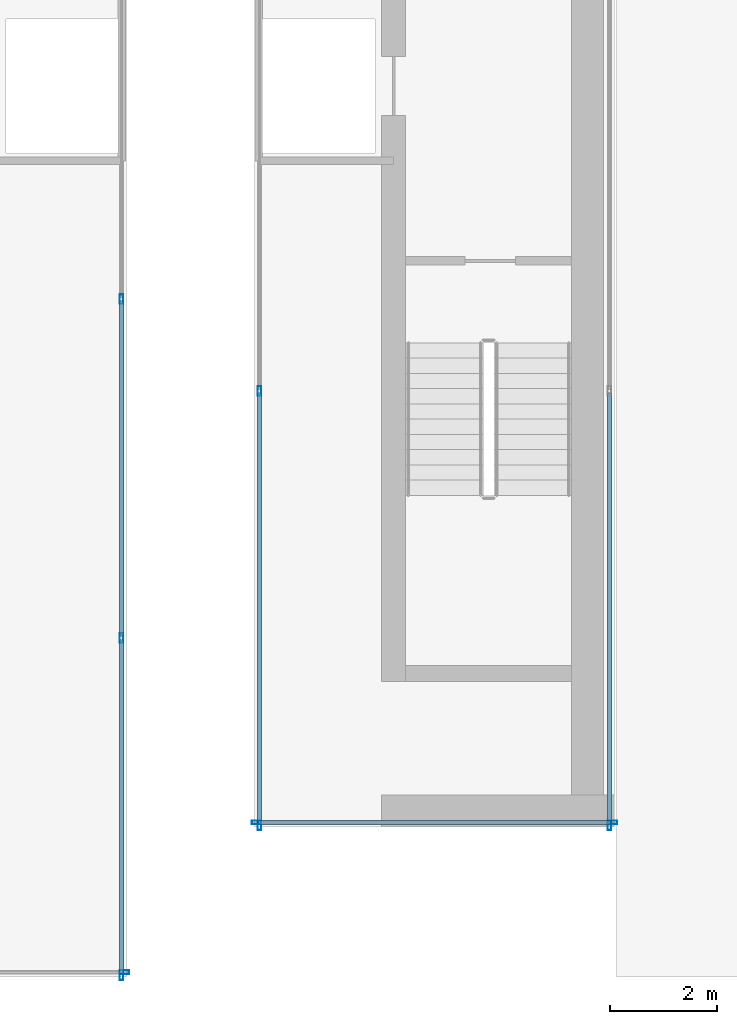
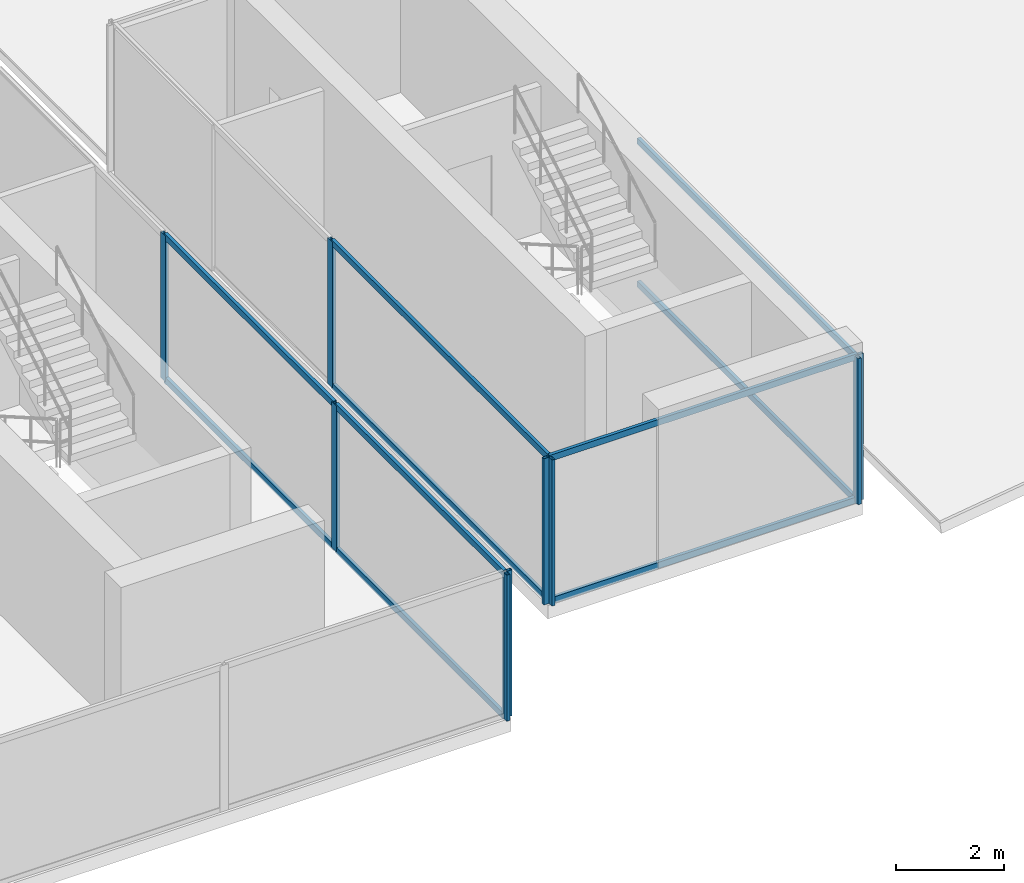
# One storey, part 5 of 16: 19 members, 5 elements without a shape of their own.
"""IFC4 building model written with IfcOpenShell, lengths in metres."""

import ifcopenshell
import ifcopenshell.guid

model = None  # the IFC model being written
_history = None  # IfcOwnerHistory: only IFC2X3 demands one
_inside = {}  # id of a spatial element -> (the spatial element, [elements in it])
_under = {}  # id of a project, library or spatial element -> (it, [spatial elements below it])
_declared = {}  # id of a project -> (the project, [libraries it declares])
_typed = {}  # id of a type object -> (the type object, [elements of that type])
_made_of = {}  # id of a material, layer set ... -> (it, [elements and type objects made of it])


def new_model(schema):
    """Start an empty IFC model of exactly this schema.

    Asked for "IFC4X3", IfcOpenShell would pick the latest addendum, in which some entities
    have other attributes; the version numbers below select the first issue.
    IFC2X3 requires an IfcOwnerHistory on every rooted entity: one is made here for all.
    """
    global model, _history
    if schema == "IFC4X3":
        model = ifcopenshell.file(schema_version=(4, 3, 0, 0))
    else:
        model = ifcopenshell.file(schema=schema)
    _inside.clear()
    _under.clear()
    _declared.clear()
    _typed.clear()
    _made_of.clear()
    _history = None
    if model.schema == "IFC2X3":
        org = make("IfcOrganization", Name="unknown")
        user = make(
            "IfcPersonAndOrganization",
            ThePerson=make("IfcPerson", FamilyName="unknown"),
            TheOrganization=org,
        )
        app = make(
            "IfcApplication",
            ApplicationDeveloper=org,
            Version="unknown",
            ApplicationFullName="unknown",
            ApplicationIdentifier="unknown",
        )
        _history = make(
            "IfcOwnerHistory",
            OwningUser=user,
            OwningApplication=app,
            ChangeAction="ADDED",
            CreationDate=0,
        )
    return model


def make(cls, **values):
    """One entity of the class cls with the attributes given. An attribute that is None is left unset."""
    return model.create_entity(
        cls, **{name: value for name, value in values.items() if value is not None}
    )


def rooted(cls, **values):
    """An entity with a GlobalId (a new one), such as an element, a storey or a relation."""
    return make(cls, GlobalId=ifcopenshell.guid.new(), OwnerHistory=_history, **values)


def si_unit(unit_type, name, prefix=None):
    """IfcSIUnit, for example si_unit("LENGTHUNIT", "METRE", prefix="MILLI")."""
    return make("IfcSIUnit", UnitType=unit_type, Prefix=prefix, Name=name)


def assignment(units):
    """IfcUnitAssignment: the units of a project."""
    return None if units is None else make("IfcUnitAssignment", Units=units)


def point(xyz):
    """IfcCartesianPoint."""
    return None if xyz is None else make("IfcCartesianPoint", Coordinates=xyz)


def direction(xyz):
    """IfcDirection."""
    return None if xyz is None else make("IfcDirection", DirectionRatios=xyz)


def frame(location, z_axis=None, x_axis=None):
    """IfcAxis2Placement3D, a coordinate frame: its origin and axes. An axis left out is left unset."""
    return make(
        "IfcAxis2Placement3D",
        Location=point(location),
        Axis=direction(z_axis),
        RefDirection=direction(x_axis),
    )


def frame_2d(location, x_axis=None):
    """IfcAxis2Placement2D, a coordinate frame in the plane: its origin and x axis."""
    return make(
        "IfcAxis2Placement2D", Location=point(location), RefDirection=direction(x_axis)
    )


def origin():
    """The frame at (0, 0, 0) with its axes left unset."""
    return frame((0.0, 0.0, 0.0))


def origin_2d():
    """The frame at (0, 0) in the plane with its x axis left unset."""
    return frame_2d((0.0, 0.0))


def place(relative_to, where):
    """IfcLocalPlacement: puts the frame where relative to a parent placement (None: the world)."""
    return make(
        "IfcLocalPlacement", PlacementRelTo=relative_to, RelativePlacement=where
    )


def context(
    kind, dimensions, precision=None, world=None, true_north=None, identifier=None
):
    """IfcGeometricRepresentationContext, for example the 3D "Model" context."""
    return make(
        "IfcGeometricRepresentationContext",
        ContextIdentifier=identifier,
        ContextType=kind,
        CoordinateSpaceDimension=dimensions,
        Precision=precision,
        WorldCoordinateSystem=world,
        TrueNorth=true_north,
    )


def subcontext(parent, identifier, kind, view, scale=None):
    """IfcGeometricRepresentationSubContext, for example "Body" below "Model"."""
    return make(
        "IfcGeometricRepresentationSubContext",
        ContextIdentifier=identifier,
        ContextType=kind,
        ParentContext=parent,
        TargetScale=scale,
        TargetView=view,
    )


def project(units=None, contexts=None):
    """IfcProject with its units and contexts."""
    return rooted(
        "IfcProject",
        Name="project",
        RepresentationContexts=contexts,
        UnitsInContext=assignment(units),
    )


def spatial(cls, under=None, at=None, **own):
    """A site, building, storey or space (cls), placed at a placement, below another one or the project."""
    s = rooted(cls, ObjectPlacement=at, **own)
    if under is not None:
        _under.setdefault(under.id(), (under, []))[1].append(s)
    return s


def profile(cls, at=None, kind="AREA", **sizes):
    """A parametric profile (cls). Its sizes go by their IFC names, for example OverallWidth=200.0."""
    return make(cls, ProfileType=kind, Position=at, **sizes)


def hollow_rectangle(**sizes):
    """IfcRectangleHollowProfileDef."""
    return profile("IfcRectangleHollowProfileDef", **sizes)


def extrude(swept, where, along, depth):
    """IfcExtrudedAreaSolid: the profile swept, set in the frame where, extruded along a direction by depth."""
    return make(
        "IfcExtrudedAreaSolid",
        SweptArea=swept,
        Position=where,
        ExtrudedDirection=direction(along),
        Depth=depth,
    )


def shape(context_of_items, identifier, shape_type, items):
    """IfcShapeRepresentation: the items that make up one representation, for example the "Body"."""
    return make(
        "IfcShapeRepresentation",
        ContextOfItems=context_of_items,
        RepresentationIdentifier=identifier,
        RepresentationType=shape_type,
        Items=items,
    )


def source(mapping_origin, context_of_items, identifier, shape_type, items):
    """IfcRepresentationMap: a shape defined once, which mapped items show again and again."""
    return make(
        "IfcRepresentationMap",
        MappingOrigin=mapping_origin,
        MappedRepresentation=shape(context_of_items, identifier, shape_type, items),
    )


def transform(
    local_origin,
    x_axis=None,
    y_axis=None,
    z_axis=None,
    scale=None,
    scale2=None,
    scale3=None,
    uniform=True,
):
    """IfcCartesianTransformationOperator3D, or its non-uniform kind. x_axis, y_axis, z_axis: its Axis1, 2, 3."""
    if uniform:
        return make(
            "IfcCartesianTransformationOperator3D",
            Axis1=direction(x_axis),
            Axis2=direction(y_axis),
            LocalOrigin=point(local_origin),
            Scale=scale,
            Axis3=direction(z_axis),
        )
    return make(
        "IfcCartesianTransformationOperator3DnonUniform",
        Axis1=direction(x_axis),
        Axis2=direction(y_axis),
        LocalOrigin=point(local_origin),
        Scale=scale,
        Axis3=direction(z_axis),
        Scale2=scale2,
        Scale3=scale3,
    )


def mapped(mapping_source, mapping_target):
    """IfcMappedItem: shows the shape of a source again, moved by a transform."""
    return make(
        "IfcMappedItem", MappingSource=mapping_source, MappingTarget=mapping_target
    )


def material(Name=None, Category=None):
    """IfcMaterial."""
    return make("IfcMaterial", Name=Name, Category=Category)


def material_profile(
    of_material, cross_section, Name=None, Category=None, Priority=None
):
    """IfcMaterialProfile: a cross section and its material."""
    return make(
        "IfcMaterialProfile",
        Name=Name,
        Material=of_material,
        Profile=cross_section,
        Priority=Priority,
        Category=Category,
    )


def profile_set(profiles, Name=None, composite=None):
    """IfcMaterialProfileSet."""
    return make(
        "IfcMaterialProfileSet",
        Name=Name,
        MaterialProfiles=profiles,
        CompositeProfile=composite,
    )


def made_of(thing, what):
    """Note that an element or type object is made of a material, layer set ...; save() writes the relation."""
    if what is not None:
        _made_of.setdefault(what.id(), (what, []))[1].append(thing)
    return thing


def type_object(cls, material=None, **own):
    """A type object (cls), such as IfcWallType, which elements share."""
    return made_of(rooted(cls, **own), material)


def type_shapes(of_type, sources):
    """Give a type object the sources (RepresentationMaps) that its elements show as mapped items."""
    of_type.RepresentationMaps = sources


def element(
    cls,
    number,
    at=None,
    inside=None,
    cuts=None,
    type_object=None,
    material=None,
    context=None,
    identifier="Body",
    shape_type=None,
    held_by="IfcProductDefinitionShape",
    body=None,
    shapes=None,
    **own,
):
    """One element of the class cls, such as IfcWall. Its Tag is "e" and its number.

    at: its placement. inside: the storey or other place that contains it. cuts: it is an
    opening in that element (IfcRelVoidsElement). A single representation is given by context,
    identifier, shape_type and body (its items); several are given by shapes. held_by: the class
    of the entity that holds the representations. save() writes the other relations.
    """
    e = rooted(cls, Tag="e%d" % number, ObjectPlacement=at, **own)
    if body is not None:
        shapes = [shape(context, identifier, shape_type, body)]
    if shapes is not None:
        e.Representation = make(held_by, Representations=shapes)
    if inside is not None:
        _inside.setdefault(inside.id(), (inside, []))[1].append(e)
    if cuts is not None:
        rooted(
            "IfcRelVoidsElement", RelatingBuildingElement=cuts, RelatedOpeningElement=e
        )
    if type_object is not None:
        _typed.setdefault(type_object.id(), (type_object, []))[1].append(e)
    return made_of(e, material)


def aggregate(whole, parts):
    """IfcRelAggregates: a whole, such as a stair, and the parts it consists of."""
    return rooted("IfcRelAggregates", RelatingObject=whole, RelatedObjects=parts)


def save(model, path):
    """Write the relations noted so far, then the file.

    IfcRelAggregates (storeys below a building ...), IfcRelContainedInSpatialStructure (elements
    in a storey), IfcRelDefinesByType, IfcRelAssociatesMaterial and IfcRelDeclares: one each for
    every whole, place, type object, material and project.
    """
    for whole, parts in _under.values():
        aggregate(whole, parts)
    for where, things in _inside.values():
        rooted(
            "IfcRelContainedInSpatialStructure",
            RelatedElements=things,
            RelatingStructure=where,
        )
    for kind, things in _typed.values():
        rooted("IfcRelDefinesByType", RelatedObjects=things, RelatingType=kind)
    for what, things in _made_of.values():
        rooted("IfcRelAssociatesMaterial", RelatedObjects=things, RelatingMaterial=what)
    for by, libraries in _declared.values():
        rooted("IfcRelDeclares", RelatingContext=by, RelatedDefinitions=libraries)
    model.write(path)


model = new_model("IFC4")

# Units and contexts
model_context = context("Model", 3, precision=1e-05, world=origin(), true_north=direction((0.0, 1.0)))
body_context = subcontext(model_context, "Body", "Model", "MODEL_VIEW")
ifc_project = project(units=[si_unit("LENGTHUNIT", "METRE"), si_unit("AREAUNIT", "SQUARE_METRE"), si_unit("VOLUMEUNIT", "CUBIC_METRE"), si_unit("PLANEANGLEUNIT", "RADIAN"), si_unit("MASSUNIT", "GRAM", prefix="KILO")], contexts=[model_context])

# Site, building, storey
site_placement = place(None, origin())
site = spatial("IfcSite", under=ifc_project, at=site_placement, CompositionType="ELEMENT")
building_placement = place(site_placement, origin())
building = spatial("IfcBuilding", under=site, at=building_placement, Name="Krantzveldt Concourse Tower", CompositionType="ELEMENT")
storey_placement = place(building_placement, frame((0.0, 0.0, 378.25)))
storey = spatial("IfcBuildingStorey", under=building, at=storey_placement, Name="L93", CompositionType="ELEMENT", Elevation=378.25)

# Curtain wall, members
ifc_material = material(Name="Anodised aluminium 6063-T6", Category="aluminium")
curtain_wall_type = type_object("IfcCurtainWallType", Name="CW7", PredefinedType="USERDEFINED", material=ifc_material)
curtain_wall_1_placement = place(storey_placement, origin())
curtain_wall_1 = element("IfcCurtainWall", 1, at=curtain_wall_1_placement, inside=storey, type_object=curtain_wall_type, Name="CW-L93-WEST-01", ObjectType="UNITISED CURTAIN WALL", PredefinedType="USERDEFINED")
ifc_material_profile_1 = material_profile(ifc_material, hollow_rectangle(XDim=0.070068359375, YDim=0.139892578125, WallThickness=0.0048828125, at=origin_2d()), Name="Anodised aluminium 6063-T6", Category="aluminium")
ifc_profile_set_1 = profile_set([ifc_material_profile_1], Name="Anodised aluminium 6063-T6 - ALU-TRAN 140x70x5")
member_type_1 = type_object("IfcMemberType", Name="CW-TRN-150", PredefinedType="USERDEFINED", material=ifc_profile_set_1)
shared_shape_1 = source(origin(), body_context, "Body", "SweptSolid", [
    extrude(hollow_rectangle(XDim=0.070068359375, YDim=0.139892578125, WallThickness=0.0048828125, at=origin_2d()), origin(), (0.0, 0.0, 1.0), 6.228271484375),
])
member_1_placement = place(storey_placement, frame((34.7099609375, 7.77001953125, 0.034912109375), z_axis=(0.0, 1.0, 0.0), x_axis=(-1.0, 0.0, 0.0)))
member_1 = element("IfcMember", 2, at=member_1_placement, type_object=member_type_1, Name="CW-CRN transom 1.1", ObjectType="TRANSOM", PredefinedType="USERDEFINED", context=body_context, shape_type="MappedRepresentation", body=[
    mapped(shared_shape_1, transform((0.0, 0.0, 0.0), x_axis=(1.0, 0.0, 0.0), y_axis=(0.0, 1.0, 0.0), z_axis=(0.0, 0.0, 1.0), scale=1.0)),
])
member_2_placement = place(storey_placement, frame((34.7099609375, 7.77001953125, 3.264892578125), z_axis=(0.0, 1.0, 0.0), x_axis=(-1.0, 0.0, 0.0)))
member_2 = element("IfcMember", 3, at=member_2_placement, type_object=member_type_1, Name="CW-CRN transom 1.2", ObjectType="TRANSOM", PredefinedType="USERDEFINED", context=body_context, shape_type="MappedRepresentation", body=[
    mapped(shared_shape_1, transform((0.0, 0.0, 0.0), x_axis=(1.0, 0.0, 0.0), y_axis=(0.0, 1.0, 0.0), z_axis=(0.0, 0.0, 1.0), scale=1.0)),
])
shared_shape_2 = source(origin(), body_context, "Body", "SweptSolid", [
    extrude(hollow_rectangle(XDim=0.070068359375, YDim=0.139892578125, WallThickness=0.0048828125, at=origin_2d()), origin(), (0.0, 0.0, 1.0), 6.263427734375),
])
member_3_placement = place(storey_placement, frame((34.7099609375, 14.068359375, 0.034912109375), z_axis=(0.0, 1.0, 0.0), x_axis=(-1.0, 0.0, 0.0)))
member_3 = element("IfcMember", 4, at=member_3_placement, type_object=member_type_1, Name="CW-CRN transom 2.1", ObjectType="TRANSOM", PredefinedType="USERDEFINED", context=body_context, shape_type="MappedRepresentation", body=[
    mapped(shared_shape_2, transform((0.0, 0.0, 0.0), x_axis=(1.0, 0.0, 0.0), y_axis=(0.0, 1.0, 0.0), z_axis=(0.0, 0.0, 1.0), scale=1.0)),
])
member_4_placement = place(storey_placement, frame((34.7099609375, 14.068359375, 3.264892578125), z_axis=(0.0, 1.0, 0.0), x_axis=(-1.0, 0.0, 0.0)))
member_4 = element("IfcMember", 5, at=member_4_placement, type_object=member_type_1, Name="CW-CRN transom 2.2", ObjectType="TRANSOM", PredefinedType="USERDEFINED", context=body_context, shape_type="MappedRepresentation", body=[
    mapped(shared_shape_2, transform((0.0, 0.0, 0.0), x_axis=(1.0, 0.0, 0.0), y_axis=(0.0, 1.0, 0.0), z_axis=(0.0, 0.0, 1.0), scale=1.0)),
])

# Curtain wall, member
curtain_wall_2_placement = place(storey_placement, origin())
curtain_wall_2 = element("IfcCurtainWall", 6, at=curtain_wall_2_placement, inside=storey, type_object=curtain_wall_type, Name="CW-L93-WEST-00", ObjectType="UNITISED CURTAIN WALL", PredefinedType="USERDEFINED")
ifc_material_profile_2 = material_profile(ifc_material, hollow_rectangle(XDim=0.070068359375, YDim=0.179931640625, WallThickness=0.0048828125, at=origin_2d()), Name="Anodised aluminium 6063-T6", Category="aluminium")
ifc_profile_set_2 = profile_set([ifc_material_profile_2], Name="Anodised aluminium 6063-T6 - ALU-MULL 180x70x5")
member_type_2 = type_object("IfcMemberType", Name="CW-MUL-180", PredefinedType="MULLION", material=ifc_profile_set_2)
shared_shape_3 = source(origin(), body_context, "Body", "SweptSolid", [
    extrude(hollow_rectangle(XDim=0.070068359375, YDim=0.179931640625, WallThickness=0.0048828125, at=origin_2d()), origin(), (0.0, 0.0, 1.0), 3.300048828125),
])
type_shapes(member_type_2, [shared_shape_3])
member_5_placement = place(storey_placement, frame((34.764892578125, 7.7900390625, 0.0), z_axis=(0.0, 0.0, 1.0), x_axis=(0.0, 1.0, 0.0)))
member_5 = element("IfcMember", 7, at=member_5_placement, type_object=member_type_2, Name="CW-CRN mullion 3", PredefinedType="MULLION", context=body_context, shape_type="MappedRepresentation", body=[
    mapped(shared_shape_3, transform((0.0, 0.0, 0.0), x_axis=(1.0, 0.0, 0.0), y_axis=(0.0, 1.0, 0.0), z_axis=(0.0, 0.0, 1.0), scale=1.0)),
])
aggregate(curtain_wall_2, [member_5])

# Member
member_6_placement = place(storey_placement, frame((34.7099609375, 7.735107421875, 0.0), z_axis=(0.0, 0.0, 1.0), x_axis=(-1.0, 0.0, 0.0)))
member_6 = element("IfcMember", 8, at=member_6_placement, type_object=member_type_2, Name="CW-CRN mullion 1", PredefinedType="MULLION", context=body_context, shape_type="MappedRepresentation", body=[
    mapped(shared_shape_3, transform((0.0, 0.0, 0.0), x_axis=(1.0, 0.0, 0.0), y_axis=(0.0, 1.0, 0.0), z_axis=(0.0, 0.0, 1.0), scale=1.0)),
])

member_7_placement = place(storey_placement, frame((34.7099609375, 14.033447265625, 0.0), z_axis=(0.0, 0.0, 1.0), x_axis=(-1.0, 0.0, 0.0)))
member_7 = element("IfcMember", 9, at=member_7_placement, type_object=member_type_2, Name="CW-CRN mullion 2", PredefinedType="MULLION", context=body_context, shape_type="MappedRepresentation", body=[
    mapped(shared_shape_3, transform((0.0, 0.0, 0.0), x_axis=(1.0, 0.0, 0.0), y_axis=(0.0, 1.0, 0.0), z_axis=(0.0, 0.0, 1.0), scale=1.0)),
])

member_8_placement = place(storey_placement, frame((34.7099609375, 20.36669921875, 0.0), z_axis=(0.0, 0.0, 1.0), x_axis=(-1.0, 0.0, 0.0)))
member_8 = element("IfcMember", 10, at=member_8_placement, type_object=member_type_2, Name="CW-CRN mullion 3", PredefinedType="MULLION", context=body_context, shape_type="MappedRepresentation", body=[
    mapped(shared_shape_3, transform((0.0, 0.0, 0.0), x_axis=(1.0, 0.0, 0.0), y_axis=(0.0, 1.0, 0.0), z_axis=(0.0, 0.0, 1.0), scale=1.0)),
])

aggregate(curtain_wall_1, [member_6, member_7, member_8, member_1, member_2, member_3, member_4])

# Curtain wall, members
curtain_wall_3_placement = place(storey_placement, origin())
curtain_wall_3 = element("IfcCurtainWall", 11, at=curtain_wall_3_placement, inside=storey, type_object=curtain_wall_type, Name="CW-L93-EAST-00", ObjectType="UNITISED CURTAIN WALL", PredefinedType="USERDEFINED")
member_9_placement = place(storey_placement, frame((37.235107421875, 10.590087890625, 0.0), z_axis=(0.0, 0.0, 1.0), x_axis=(0.0, 1.0, 0.0)))
member_9 = element("IfcMember", 12, at=member_9_placement, type_object=member_type_2, Name="CW-CRN mullion 1", PredefinedType="MULLION", context=body_context, shape_type="MappedRepresentation", body=[
    mapped(shared_shape_3, transform((0.0, 0.0, 0.0), x_axis=(1.0, 0.0, 0.0), y_axis=(0.0, 1.0, 0.0), z_axis=(0.0, 0.0, 1.0), scale=1.0)),
])
member_10_placement = place(storey_placement, frame((43.885009765625, 10.590087890625, 0.0), z_axis=(0.0, 0.0, 1.0), x_axis=(0.0, 1.0, 0.0)))
member_10 = element("IfcMember", 13, at=member_10_placement, type_object=member_type_2, Name="CW-CRN mullion 2", PredefinedType="MULLION", context=body_context, shape_type="MappedRepresentation", body=[
    mapped(shared_shape_3, transform((0.0, 0.0, 0.0), x_axis=(1.0, 0.0, 0.0), y_axis=(0.0, 1.0, 0.0), z_axis=(0.0, 0.0, 1.0), scale=1.0)),
])

# Curtain wall, member
curtain_wall_4_placement = place(storey_placement, origin())
curtain_wall_4 = element("IfcCurtainWall", 14, at=curtain_wall_4_placement, inside=storey, type_object=curtain_wall_type, Name="CW-L93-EAST-01", ObjectType="UNITISED CURTAIN WALL", PredefinedType="USERDEFINED")
member_11_placement = place(storey_placement, frame((43.830078125, 10.534912109375, 0.0), z_axis=(0.0, 0.0, 1.0), x_axis=(-1.0, 0.0, 0.0)))
member_11 = element("IfcMember", 15, at=member_11_placement, type_object=member_type_2, Name="CW-CRN mullion 1", PredefinedType="MULLION", context=body_context, shape_type="MappedRepresentation", body=[
    mapped(shared_shape_3, transform((0.0, 0.0, 0.0), x_axis=(1.0, 0.0, 0.0), y_axis=(0.0, 1.0, 0.0), z_axis=(0.0, 0.0, 1.0), scale=1.0)),
])

# Curtain wall, members
curtain_wall_5_placement = place(storey_placement, origin())
curtain_wall_5 = element("IfcCurtainWall", 16, at=curtain_wall_5_placement, inside=storey, type_object=curtain_wall_type, Name="CW-L93-EAST-03", ObjectType="UNITISED CURTAIN WALL", PredefinedType="USERDEFINED")
member_12_placement = place(storey_placement, frame((37.2900390625, 18.64990234375, 0.0), z_axis=(0.0, 0.0, 1.0), x_axis=(1.0, 0.0, 0.0)))
member_12 = element("IfcMember", 17, at=member_12_placement, type_object=member_type_2, Name="CW-CRN mullion 2", PredefinedType="MULLION", context=body_context, shape_type="MappedRepresentation", body=[
    mapped(shared_shape_3, transform((0.0, 0.0, 0.0), x_axis=(1.0, 0.0, 0.0), y_axis=(0.0, 1.0, 0.0), z_axis=(0.0, 0.0, 1.0), scale=1.0)),
])
member_13_placement = place(storey_placement, frame((37.2900390625, 10.534912109375, 0.0), z_axis=(0.0, 0.0, 1.0), x_axis=(1.0, 0.0, 0.0)))
member_13 = element("IfcMember", 18, at=member_13_placement, type_object=member_type_2, Name="CW-CRN mullion 3", PredefinedType="MULLION", context=body_context, shape_type="MappedRepresentation", body=[
    mapped(shared_shape_3, transform((0.0, 0.0, 0.0), x_axis=(1.0, 0.0, 0.0), y_axis=(0.0, 1.0, 0.0), z_axis=(0.0, 0.0, 1.0), scale=1.0)),
])

# Member
shared_shape_4 = source(origin(), body_context, "Body", "SweptSolid", [
    extrude(hollow_rectangle(XDim=0.070068359375, YDim=0.139892578125, WallThickness=0.0048828125, at=origin_2d()), origin(), (0.0, 0.0, 1.0), 6.580078125),
])
member_14_placement = place(storey_placement, frame((37.27001953125, 10.590087890625, 0.034912109375), z_axis=(1.0, 0.0, 0.0), x_axis=(0.0, 1.0, 0.0)))
member_14 = element("IfcMember", 19, at=member_14_placement, type_object=member_type_1, Name="CW-CRN transom 1.1", ObjectType="TRANSOM", PredefinedType="USERDEFINED", context=body_context, shape_type="MappedRepresentation", body=[
    mapped(shared_shape_4, transform((0.0, 0.0, 0.0), x_axis=(1.0, 0.0, 0.0), y_axis=(0.0, 1.0, 0.0), z_axis=(0.0, 0.0, 1.0), scale=1.0)),
])

member_15_placement = place(storey_placement, frame((37.27001953125, 10.590087890625, 3.264892578125), z_axis=(1.0, 0.0, 0.0), x_axis=(0.0, 1.0, 0.0)))
member_15 = element("IfcMember", 20, at=member_15_placement, type_object=member_type_1, Name="CW-CRN transom 1.2", ObjectType="TRANSOM", PredefinedType="USERDEFINED", context=body_context, shape_type="MappedRepresentation", body=[
    mapped(shared_shape_4, transform((0.0, 0.0, 0.0), x_axis=(1.0, 0.0, 0.0), y_axis=(0.0, 1.0, 0.0), z_axis=(0.0, 0.0, 1.0), scale=1.0)),
])

aggregate(curtain_wall_3, [member_9, member_10, member_14, member_15])

shared_shape_5 = source(origin(), body_context, "Body", "SweptSolid", [
    extrude(hollow_rectangle(XDim=0.070068359375, YDim=0.139892578125, WallThickness=0.0048828125, at=origin_2d()), origin(), (0.0, 0.0, 1.0), 8.044921875),
])
type_shapes(member_type_1, [shared_shape_1, shared_shape_2, shared_shape_4, shared_shape_5])
member_16_placement = place(storey_placement, frame((43.830078125, 10.570068359375, 0.034912109375), z_axis=(0.0, 1.0, 0.0), x_axis=(-1.0, 0.0, 0.0)))
member_16 = element("IfcMember", 21, at=member_16_placement, type_object=member_type_1, Name="CW-CRN transom 1.1", ObjectType="TRANSOM", PredefinedType="USERDEFINED", context=body_context, shape_type="MappedRepresentation", body=[
    mapped(shared_shape_5, transform((0.0, 0.0, 0.0), x_axis=(1.0, 0.0, 0.0), y_axis=(0.0, 1.0, 0.0), z_axis=(0.0, 0.0, 1.0), scale=1.0)),
])

member_17_placement = place(storey_placement, frame((43.830078125, 10.570068359375, 3.264892578125), z_axis=(0.0, 1.0, 0.0), x_axis=(-1.0, 0.0, 0.0)))
member_17 = element("IfcMember", 22, at=member_17_placement, type_object=member_type_1, Name="CW-CRN transom 1.2", ObjectType="TRANSOM", PredefinedType="USERDEFINED", context=body_context, shape_type="MappedRepresentation", body=[
    mapped(shared_shape_5, transform((0.0, 0.0, 0.0), x_axis=(1.0, 0.0, 0.0), y_axis=(0.0, 1.0, 0.0), z_axis=(0.0, 0.0, 1.0), scale=1.0)),
])

aggregate(curtain_wall_4, [member_11, member_16, member_17])

member_18_placement = place(storey_placement, frame((37.2900390625, 18.614990234375, 0.034912109375), z_axis=(0.0, -1.0, 0.0), x_axis=(1.0, 0.0, 0.0)))
member_18 = element("IfcMember", 23, at=member_18_placement, type_object=member_type_1, Name="CW-CRN transom 2.1", ObjectType="TRANSOM", PredefinedType="USERDEFINED", context=body_context, shape_type="MappedRepresentation", body=[
    mapped(shared_shape_5, transform((0.0, 0.0, 0.0), x_axis=(1.0, 0.0, 0.0), y_axis=(0.0, 1.0, 0.0), z_axis=(0.0, 0.0, 1.0), scale=1.0)),
])

member_19_placement = place(storey_placement, frame((37.2900390625, 18.614990234375, 3.264892578125), z_axis=(0.0, -1.0, 0.0), x_axis=(1.0, 0.0, 0.0)))
member_19 = element("IfcMember", 24, at=member_19_placement, type_object=member_type_1, Name="CW-CRN transom 2.2", ObjectType="TRANSOM", PredefinedType="USERDEFINED", context=body_context, shape_type="MappedRepresentation", body=[
    mapped(shared_shape_5, transform((0.0, 0.0, 0.0), x_axis=(1.0, 0.0, 0.0), y_axis=(0.0, 1.0, 0.0), z_axis=(0.0, 0.0, 1.0), scale=1.0)),
])

aggregate(curtain_wall_5, [member_12, member_13, member_18, member_19])

save(model, "model.ifc")
